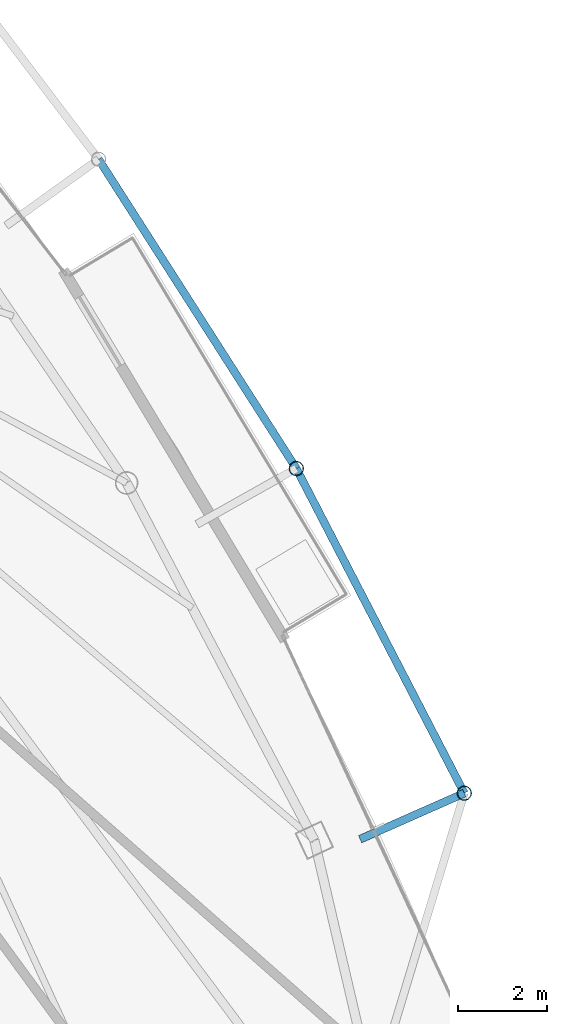
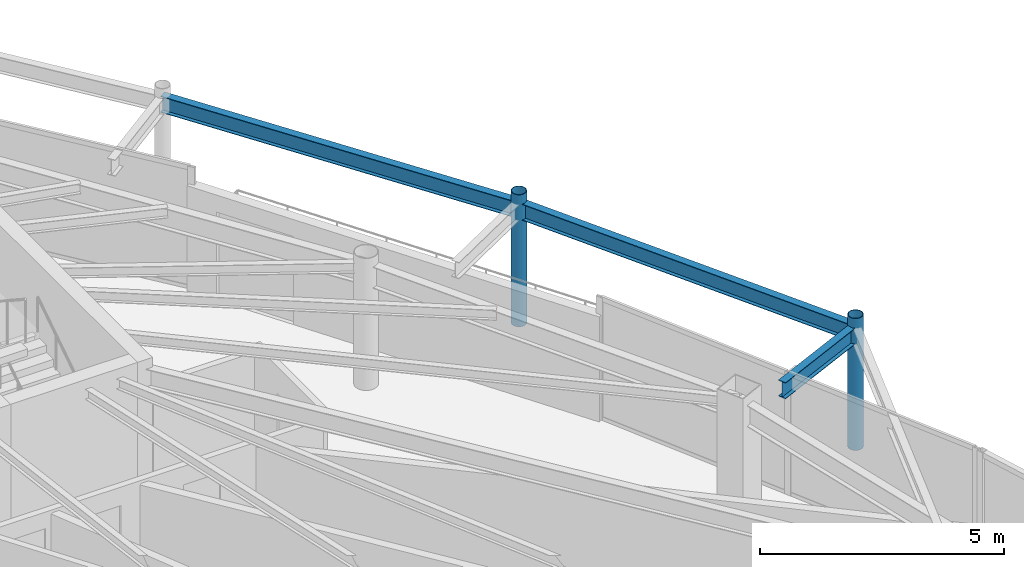
# One storey, part 18 of 28: 3 beams, 2 members.
"""IFC4 building model written with IfcOpenShell, lengths in metres."""

from ifc_helpers import new_model, si_unit, direction, frame, origin, origin_2d, place, context, subcontext, project, spatial, hollow_circle, i_section, extrude, material, material_profile, profile_set, type_object, element, save


model = new_model("IFC4")

# Units and contexts
model_context = context("Model", 3, precision=1e-05, world=origin(), true_north=direction((0.0, 1.0)))
body_context = subcontext(model_context, "Body", "Model", "MODEL_VIEW")
ifc_project = project(units=[si_unit("LENGTHUNIT", "METRE"), si_unit("AREAUNIT", "SQUARE_METRE"), si_unit("VOLUMEUNIT", "CUBIC_METRE"), si_unit("PLANEANGLEUNIT", "RADIAN"), si_unit("MASSUNIT", "GRAM", prefix="KILO")], contexts=[model_context])

# Site, building, storey
site_placement = place(None, origin())
site = spatial("IfcSite", under=ifc_project, at=site_placement, CompositionType="ELEMENT")
building_placement = place(site_placement, origin())
building = spatial("IfcBuilding", under=site, at=building_placement, Name="Orvanel Arch Residences", CompositionType="ELEMENT")
storey_placement = place(building_placement, frame((0.0, 0.0, 263.449951171875)))
storey = spatial("IfcBuildingStorey", under=building, at=storey_placement, Name="L75", CompositionType="ELEMENT", Elevation=263.449951171875)

# Beams
ifc_material_1 = material(Name="Structural steel AS/NZS 3679.1 Grade 300 (300 MPa)", Category="steel")
ifc_material_profile_1 = material_profile(ifc_material_1, i_section(OverallWidth=0.177978515625, OverallDepth=0.406005859375, WebThickness=0.0078125, FlangeThickness=0.0126953125, at=origin_2d()), Name="410UB59.7")
ifc_profile_set_1 = profile_set([ifc_material_profile_1], Name="Structural steel AS/NZS 3679.1 Grade 300 (300 MPa)")
beam_type = type_object("IfcBeamType", Name="OB-410UB-EXT", PredefinedType="SPANDREL", material=ifc_profile_set_1)
beam_1_placement = place(storey_placement, frame((50.658935546875, 19.6640625, 2.85693359375), z_axis=(0.914603442597, 0.404352003569, 0.0), x_axis=(-0.404352003569, 0.914603442597, 0.0)))
element("IfcBeam", 1, at=beam_1_placement, inside=storey, type_object=beam_type, Name="L75 Outer Frame Radial Tie Beam 09", PredefinedType="SPANDREL", context=body_context, shape_type="SweptSolid", body=[
    extrude(i_section(OverallWidth=0.177978515625, OverallDepth=0.406005859375, WebThickness=0.0078125, FlangeThickness=0.0126953125, at=origin_2d()), origin(), (0.0, 0.0, 1.0), 2.5498046875),
])
beam_2_placement = place(storey_placement, frame((52.990966796875, 20.695068359375, 2.85693359375), z_axis=(-0.459532469587, 0.88816097043, 0.0), x_axis=(-0.88816097043, -0.459532469587, 0.0)))
element("IfcBeam", 2, at=beam_2_placement, inside=storey, type_object=beam_type, Name="L75 Outer Perimeter Floor Ring Beam 09", PredefinedType="SPANDREL", context=body_context, shape_type="SweptSolid", body=[
    extrude(i_section(OverallWidth=0.177978515625, OverallDepth=0.406005859375, WebThickness=0.0078125, FlangeThickness=0.0126953125, at=origin_2d()), origin(), (0.0, 0.0, 1.0), 8.184326171875),
])
beam_3_placement = place(storey_placement, frame((49.22998046875, 27.964111328125, 2.85693359375), z_axis=(-0.538686937539, 0.842506013821, 0.0), x_axis=(-0.842506013821, -0.538686937539, 0.0)))
element("IfcBeam", 3, at=beam_3_placement, inside=storey, type_object=beam_type, Name="L75 Outer Perimeter Floor Ring Beam 10", PredefinedType="SPANDREL", context=body_context, shape_type="SweptSolid", body=[
    extrude(i_section(OverallWidth=0.177978515625, OverallDepth=0.406005859375, WebThickness=0.0078125, FlangeThickness=0.0126953125, at=origin_2d()), origin(), (0.0, 0.0, 1.0), 8.218017578125),
])

# Members
ifc_material_2 = material(Name="Structural steel AS/NZS 1163 C350L0 (Grade 350)", Category="steel")
ifc_material_profile_2 = material_profile(ifc_material_2, hollow_circle(Radius=0.162109375, WallThickness=0.0126953125, at=origin_2d()), Name="CHS324x12.7")
ifc_profile_set_2 = profile_set([ifc_material_profile_2], Name="Structural steel AS/NZS 1163 C350L0 (Grade 350)")
member_type = type_object("IfcMemberType", Name="ST-324CHS-EXT", PredefinedType="STRUT", material=ifc_profile_set_2)
for number, where, z_axis, x_axis, name in (
    (4, (52.990966796875, 20.695068359375, 0.0), (0.0, 0.0, 1.0), (1.0, 0.0, 0.0), "L75 Outer Perimeter Frame Post 09"),
    (5, (49.22998046875, 27.964111328125, 0.0), (0.0, 0.0, 1.0), (1.0, 0.0, 0.0), "L75 Outer Perimeter Frame Post 10"),
):
    element("IfcMember", number, at=place(storey_placement, frame(where, z_axis=z_axis, x_axis=x_axis)), inside=storey, type_object=member_type, Name=name, PredefinedType="STRUT", context=body_context, shape_type="SweptSolid", body=[
        extrude(hollow_circle(Radius=0.162109375, WallThickness=0.0126953125, at=origin_2d()), origin(), (0.0, 0.0, 1.0), 3.300048828125),
    ])

save(model, "model.ifc")
